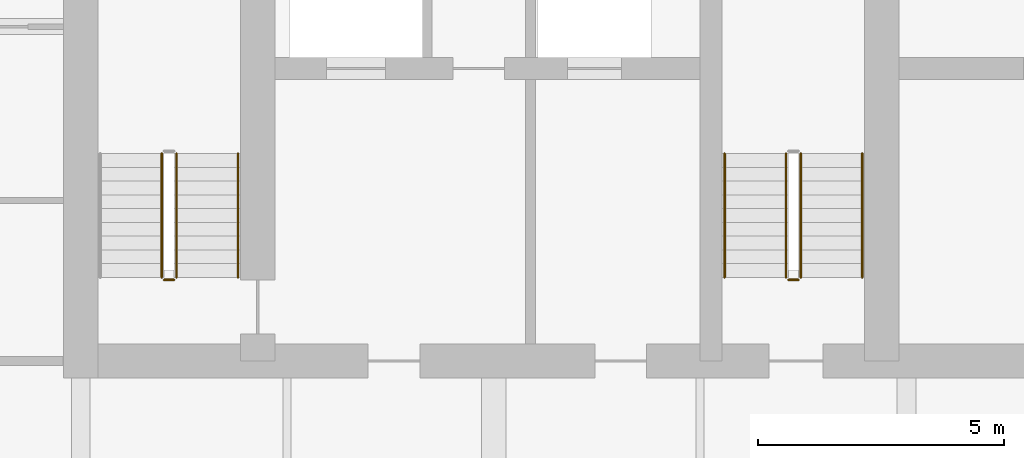
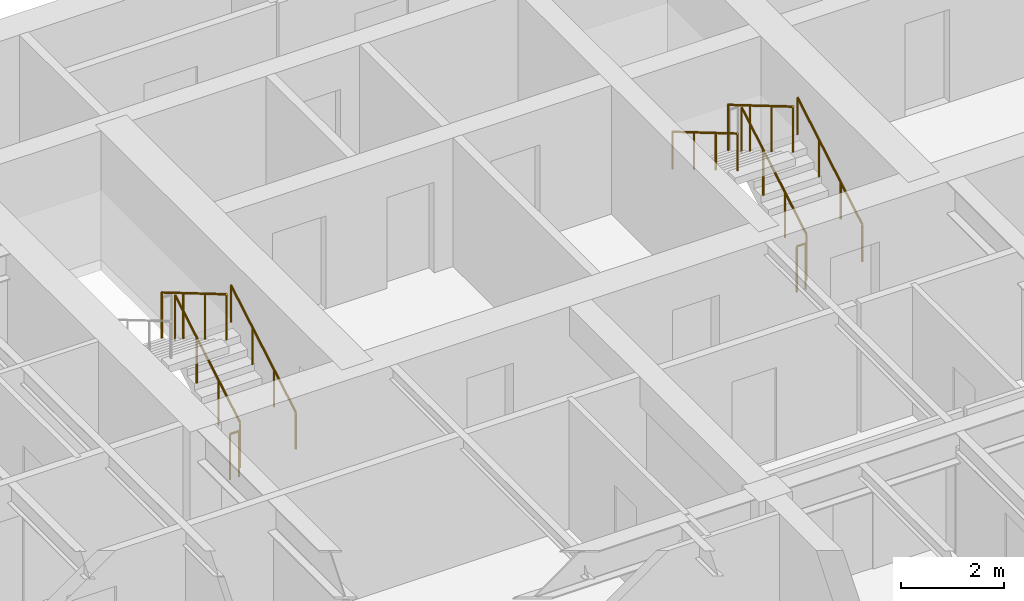
# One storey, part 13 of 16: 9 railings.
"""IFC4 building model written with IfcOpenShell, lengths in metres."""

from ifc_helpers import new_model, si_unit, direction, frame, origin, origin_2d, place, context, subcontext, project, spatial, circle, extrude, material, type_object, element, save


model = new_model("IFC4")

# Units and contexts
model_context = context("Model", 3, precision=1e-05, world=origin(), true_north=direction((0.0, 1.0)))
body_context = subcontext(model_context, "Body", "Model", "MODEL_VIEW")
ifc_project = project(units=[si_unit("LENGTHUNIT", "METRE"), si_unit("AREAUNIT", "SQUARE_METRE"), si_unit("VOLUMEUNIT", "CUBIC_METRE"), si_unit("PLANEANGLEUNIT", "RADIAN"), si_unit("MASSUNIT", "GRAM", prefix="KILO")], contexts=[model_context])

# Site, building, storey
site_placement = place(None, origin())
site = spatial("IfcSite", under=ifc_project, at=site_placement, CompositionType="ELEMENT")
building_placement = place(site_placement, origin())
building = spatial("IfcBuilding", under=site, at=building_placement, Name="Caelmar Bay Residences", CompositionType="ELEMENT")
storey_placement = place(building_placement, frame((0.0, 0.0, 233.10009765625)))
storey = spatial("IfcBuildingStorey", under=building, at=storey_placement, Name="L65", CompositionType="ELEMENT", Elevation=233.10009765625)

# Railings
ifc_material_1 = material(Name="Painted galvanized steel stair guard 1100 mm", Category="steel")
railing_type_1 = type_object("IfcRailingType", Name="RL-GRD-1100", PredefinedType="GUARDRAIL", material=ifc_material_1)
railing_1_placement = place(storey_placement, frame((20.25, 38.699951171875, 0.164794921875)))
element("IfcRailing", 1, at=railing_1_placement, inside=storey, type_object=railing_type_1, Name="L65 ST1 stair guard 1", PredefinedType="GUARDRAIL", context=body_context, shape_type="SweptSolid", body=[
    extrude(circle(Radius=0.02392578125, at=origin_2d()), frame((0.0, 0.0, 1.076171875), z_axis=(0.0, 0.86152411907, 0.507716645641), x_axis=(-1.0, 0.0, 0.0)), (0.0, 0.0, 1.0), 2.925048828125),
    extrude(circle(Radius=0.02099609375, at=origin_2d()), origin(), (0.0, 0.0, 1.0), 1.052001953125),
    extrude(circle(Radius=0.02099609375, at=origin_2d()), frame((0.0, 0.840087890625, 0.4951171875)), (0.0, 0.0, 1.0), 1.052001953125),
    extrude(circle(Radius=0.02099609375, at=origin_2d()), frame((0.0, 1.679931640625, 0.989990234375)), (0.0, 0.0, 1.0), 1.052001953125),
    extrude(circle(Radius=0.02099609375, at=origin_2d()), frame((0.0, 2.52001953125, 1.485107421875)), (0.0, 0.0, 1.0), 1.052001953125),
])
railing_2_placement = place(storey_placement, frame((19.949951171875, 41.219970703125, 1.81494140625)))
element("IfcRailing", 2, at=railing_2_placement, inside=storey, type_object=railing_type_1, Name="L65 ST1 stair guard 3", PredefinedType="GUARDRAIL", context=body_context, shape_type="SweptSolid", body=[
    extrude(circle(Radius=0.02392578125, at=origin_2d()), frame((0.0, 0.0, 1.076171875), z_axis=(0.0, -0.861560626758, 0.507654692109), x_axis=(1.0, 0.0, 0.0)), (0.0, 0.0, 1.0), 2.925048828125),
    extrude(circle(Radius=0.02099609375, at=origin_2d()), origin(), (0.0, 0.0, 1.0), 1.052001953125),
    extrude(circle(Radius=0.02099609375, at=origin_2d()), frame((0.0, -0.840087890625, 0.494873046875)), (0.0, 0.0, 1.0), 1.052001953125),
    extrude(circle(Radius=0.02099609375, at=origin_2d()), frame((0.0, -1.679931640625, 0.989990234375)), (0.0, 0.0, 1.0), 1.052001953125),
    extrude(circle(Radius=0.02099609375, at=origin_2d()), frame((0.0, -2.52001953125, 1.48486328125)), (0.0, 0.0, 1.0), 1.052001953125),
])
railing_3_placement = place(storey_placement, frame((20.199951171875, 38.64990234375, 0.0)))
element("IfcRailing", 3, at=railing_3_placement, inside=storey, type_object=railing_type_1, Name="L65 ST1 stair guard 4", PredefinedType="GUARDRAIL", context=body_context, shape_type="SweptSolid", body=[
    extrude(circle(Radius=0.02392578125, at=origin_2d()), frame((0.0, 0.0, 1.076171875), z_axis=(-1.0, 0.0, 0.0), x_axis=(0.0, -1.0, 0.0)), (0.0, 0.0, 1.0), 0.199951171875),
    extrude(circle(Radius=0.02099609375, at=origin_2d()), origin(), (0.0, 0.0, 1.0), 1.052001953125),
    extrude(circle(Radius=0.02099609375, at=origin_2d()), frame((-0.199951171875, 0.0, 0.0)), (0.0, 0.0, 1.0), 1.052001953125),
])
railing_4_placement = place(storey_placement, frame((32.949951171875, 38.699951171875, 0.164794921875)))
element("IfcRailing", 4, at=railing_4_placement, inside=storey, type_object=railing_type_1, Name="L65 ST3 stair guard 1", PredefinedType="GUARDRAIL", context=body_context, shape_type="SweptSolid", body=[
    extrude(circle(Radius=0.02392578125, at=origin_2d()), frame((0.0, 0.0, 1.076171875), z_axis=(0.0, 0.86152411907, 0.507716645641), x_axis=(-1.0, 0.0, 0.0)), (0.0, 0.0, 1.0), 2.925048828125),
    extrude(circle(Radius=0.02099609375, at=origin_2d()), origin(), (0.0, 0.0, 1.0), 1.052001953125),
    extrude(circle(Radius=0.02099609375, at=origin_2d()), frame((0.0, 0.840087890625, 0.4951171875)), (0.0, 0.0, 1.0), 1.052001953125),
    extrude(circle(Radius=0.02099609375, at=origin_2d()), frame((0.0, 1.679931640625, 0.989990234375)), (0.0, 0.0, 1.0), 1.052001953125),
    extrude(circle(Radius=0.02099609375, at=origin_2d()), frame((0.0, 2.52001953125, 1.485107421875)), (0.0, 0.0, 1.0), 1.052001953125),
])
railing_5_placement = place(storey_placement, frame((32.64990234375, 41.219970703125, 1.81494140625)))
element("IfcRailing", 5, at=railing_5_placement, inside=storey, type_object=railing_type_1, Name="L65 ST3 stair guard 3", PredefinedType="GUARDRAIL", context=body_context, shape_type="SweptSolid", body=[
    extrude(circle(Radius=0.02392578125, at=origin_2d()), frame((0.0, 0.0, 1.076171875), z_axis=(0.0, -0.861560626758, 0.507654692109), x_axis=(1.0, 0.0, 0.0)), (0.0, 0.0, 1.0), 2.925048828125),
    extrude(circle(Radius=0.02099609375, at=origin_2d()), origin(), (0.0, 0.0, 1.0), 1.052001953125),
    extrude(circle(Radius=0.02099609375, at=origin_2d()), frame((0.0, -0.840087890625, 0.494873046875)), (0.0, 0.0, 1.0), 1.052001953125),
    extrude(circle(Radius=0.02099609375, at=origin_2d()), frame((0.0, -1.679931640625, 0.989990234375)), (0.0, 0.0, 1.0), 1.052001953125),
    extrude(circle(Radius=0.02099609375, at=origin_2d()), frame((0.0, -2.52001953125, 1.48486328125)), (0.0, 0.0, 1.0), 1.052001953125),
])
railing_6_placement = place(storey_placement, frame((32.89990234375, 38.64990234375, 0.0)))
element("IfcRailing", 6, at=railing_6_placement, inside=storey, type_object=railing_type_1, Name="L65 ST3 stair guard 4", PredefinedType="GUARDRAIL", context=body_context, shape_type="SweptSolid", body=[
    extrude(circle(Radius=0.02392578125, at=origin_2d()), frame((0.0, 0.0, 1.076171875), z_axis=(-1.0, 0.0, 0.0), x_axis=(0.0, -1.0, 0.0)), (0.0, 0.0, 1.0), 0.199951171875),
    extrude(circle(Radius=0.02099609375, at=origin_2d()), origin(), (0.0, 0.0, 1.0), 1.052001953125),
    extrude(circle(Radius=0.02099609375, at=origin_2d()), frame((-0.199951171875, 0.0, 0.0)), (0.0, 0.0, 1.0), 1.052001953125),
])
ifc_material_2 = material(Name="Brushed bronze stainless-steel tubular handrail 900 mm", Category="steel")
railing_type_2 = type_object("IfcRailingType", Name="RL-HND-900", PredefinedType="HANDRAIL", material=ifc_material_2)
for number, where, name in (
    (7, (21.5, 38.699951171875, 0.164794921875), "L65 ST1 stair handrail 1"),
    (8, (34.199951171875, 38.699951171875, 0.164794921875), "L65 ST3 stair handrail 1"),
):
    element("IfcRailing", number, at=place(storey_placement, frame(where)), inside=storey, type_object=railing_type_2, Name=name, PredefinedType="HANDRAIL", context=body_context, shape_type="SweptSolid", body=[
        extrude(circle(Radius=0.02392578125, at=origin_2d()), frame((0.0, 0.0, 0.8759765625), z_axis=(0.0, 0.86152411907, 0.507716645641), x_axis=(-1.0, 0.0, 0.0)), (0.0, 0.0, 1.0), 2.925048828125),
        extrude(circle(Radius=0.02099609375, at=origin_2d()), origin(), (0.0, 0.0, 1.0), 0.851806640625),
        extrude(circle(Radius=0.02099609375, at=origin_2d()), frame((0.0, 0.840087890625, 0.4951171875)), (0.0, 0.0, 1.0), 0.851806640625),
        extrude(circle(Radius=0.02099609375, at=origin_2d()), frame((0.0, 1.679931640625, 0.989990234375)), (0.0, 0.0, 1.0), 0.851806640625),
        extrude(circle(Radius=0.02099609375, at=origin_2d()), frame((0.0, 2.52001953125, 1.485107421875)), (0.0, 0.0, 1.0), 0.851806640625),
    ])
railing_7_placement = place(storey_placement, frame((31.39990234375, 41.219970703125, 1.81494140625)))
element("IfcRailing", 9, at=railing_7_placement, inside=storey, type_object=railing_type_2, Name="L65 ST3 stair handrail 2", PredefinedType="HANDRAIL", context=body_context, shape_type="SweptSolid", body=[
    extrude(circle(Radius=0.02392578125, at=origin_2d()), frame((0.0, 0.0, 0.8759765625), z_axis=(0.0, -0.861560626758, 0.507654692109), x_axis=(1.0, 0.0, 0.0)), (0.0, 0.0, 1.0), 2.925048828125),
    extrude(circle(Radius=0.02099609375, at=origin_2d()), origin(), (0.0, 0.0, 1.0), 0.851806640625),
    extrude(circle(Radius=0.02099609375, at=origin_2d()), frame((0.0, -0.840087890625, 0.494873046875)), (0.0, 0.0, 1.0), 0.851806640625),
    extrude(circle(Radius=0.02099609375, at=origin_2d()), frame((0.0, -1.679931640625, 0.989990234375)), (0.0, 0.0, 1.0), 0.851806640625),
    extrude(circle(Radius=0.02099609375, at=origin_2d()), frame((0.0, -2.52001953125, 1.48486328125)), (0.0, 0.0, 1.0), 0.851806640625),
])

save(model, "model.ifc")
